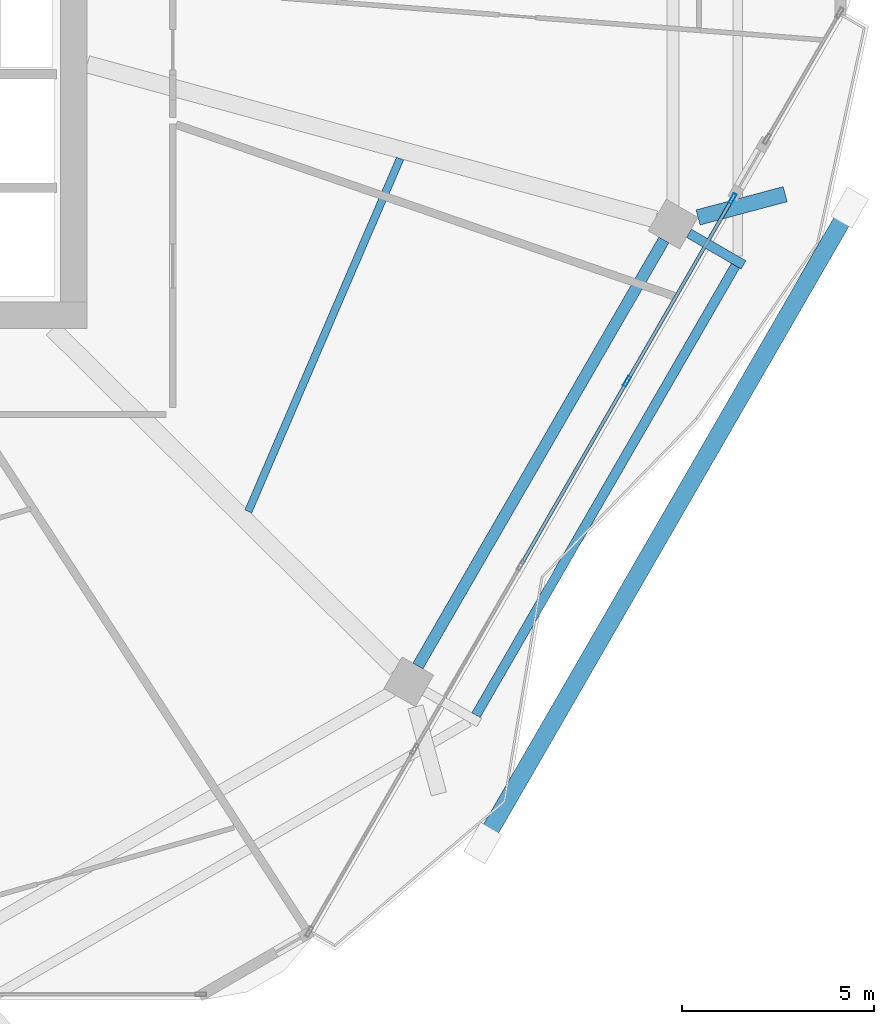
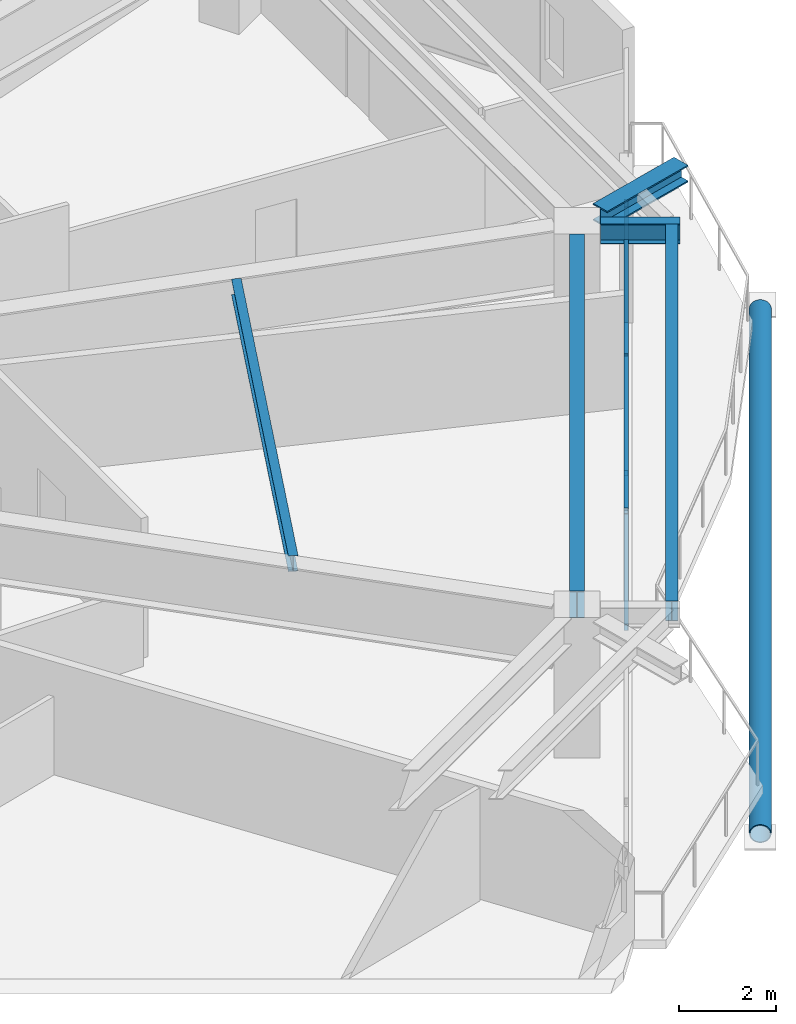
# One storey, part 10 of 28: 7 members, 5 beams, 1 element without a shape of its own.
"""IFC4 building model written with IfcOpenShell, lengths in metres."""

from ifc_helpers import new_model, si_unit, direction, frame, origin, origin_2d, place, context, subcontext, project, spatial, hollow_rectangle, hollow_circle, i_section, extrude, material, material_profile, profile_set, type_object, element, aggregate, save


model = new_model("IFC4")

# Units and contexts
model_context = context("Model", 3, precision=1e-05, world=origin(), true_north=direction((0.0, 1.0)))
body_context = subcontext(model_context, "Body", "Model", "MODEL_VIEW")
ifc_project = project(units=[si_unit("LENGTHUNIT", "METRE"), si_unit("AREAUNIT", "SQUARE_METRE"), si_unit("VOLUMEUNIT", "CUBIC_METRE"), si_unit("PLANEANGLEUNIT", "RADIAN"), si_unit("MASSUNIT", "GRAM", prefix="KILO")], contexts=[model_context])

# Site, building, storey
site_placement = place(None, origin())
site = spatial("IfcSite", under=ifc_project, at=site_placement, CompositionType="ELEMENT")
building_placement = place(site_placement, origin())
building = spatial("IfcBuilding", under=site, at=building_placement, Name="Zuhravey Tower", CompositionType="ELEMENT")
storey_placement = place(building_placement, frame((0.0, 0.0, 222.60009765625)))
storey = spatial("IfcBuildingStorey", under=building, at=storey_placement, Name="L56", CompositionType="ELEMENT", Elevation=222.60009765625)

# Curtain wall, members
ifc_material_1 = material(Name="Thermally broken anodised aluminium", Category="aluminium")
curtain_wall_type = type_object("IfcCurtainWallType", Name="Zone 1-2 Residential Curtain Wall CW3", PredefinedType="NOTDEFINED", material=ifc_material_1)
curtain_wall_placement = place(storey_placement, origin())
curtain_wall = element("IfcCurtainWall", 1, at=curtain_wall_placement, inside=storey, type_object=curtain_wall_type, Name="L56 CW3 CW-L56-F6-2", PredefinedType="NOTDEFINED")
ifc_material_2 = material(Name="Anodised aluminium", Category="aluminium")
ifc_material_profile_1 = material_profile(ifc_material_2, hollow_rectangle(XDim=0.090087890625, YDim=0.284912109375, WallThickness=0.0048828125, at=origin_2d()), Name="ALU-RHS-90x285x5")
ifc_profile_set_1 = profile_set([ifc_material_profile_1], Name="Anodised aluminium")
member_type_1 = type_object("IfcMemberType", Name="Curtain-Wall Mullion 90x180", PredefinedType="MULLION", material=ifc_profile_set_1)
member_1_placement = place(storey_placement, frame((63.6572265625, 25.53759765625, 0.0), z_axis=(0.0, 0.0, 1.0), x_axis=(0.866025738172, -0.499999420824, 0.0)))
member_1 = element("IfcMember", 2, at=member_1_placement, type_object=member_type_1, Name="CW3 mullion 1", PredefinedType="MULLION", context=body_context, shape_type="SweptSolid", body=[
    extrude(hollow_rectangle(XDim=0.090087890625, YDim=0.284912109375, WallThickness=0.0048828125, at=origin_2d()), origin(), (0.0, 0.0, 1.0), 3.02001953125),
])
member_2_placement = place(storey_placement, frame((60.912353515625, 20.783447265625, 0.0), z_axis=(0.0, 0.0, 1.0), x_axis=(0.866025738172, -0.499999420824, 0.0)))
member_2 = element("IfcMember", 3, at=member_2_placement, type_object=member_type_1, Name="CW3 mullion 2", PredefinedType="MULLION", context=body_context, shape_type="SweptSolid", body=[
    extrude(hollow_rectangle(XDim=0.090087890625, YDim=0.284912109375, WallThickness=0.0048828125, at=origin_2d()), origin(), (0.0, 0.0, 1.0), 3.02001953125),
])
ifc_material_profile_2 = material_profile(ifc_material_2, hollow_rectangle(XDim=0.090087890625, YDim=0.14990234375, WallThickness=0.0048828125, at=origin_2d()), Name="ALU-RHS-90x150x5")
ifc_profile_set_2 = profile_set([ifc_material_profile_2], Name="Anodised aluminium")
member_type_2 = type_object("IfcMemberType", Name="Curtain-Wall Transom 90x150", PredefinedType="USERDEFINED", material=ifc_profile_set_2)
member_3_placement = place(storey_placement, frame((63.634765625, 25.49853515625, 0.044921875), z_axis=(-0.500000349099, -0.866025202232, 0.0), x_axis=(0.866025202232, -0.500000349099, 0.0)))
member_3 = element("IfcMember", 4, at=member_3_placement, type_object=member_type_2, Name="CW3 transom 1.1", ObjectType="TRANSOM", PredefinedType="USERDEFINED", context=body_context, shape_type="SweptSolid", body=[
    extrude(hollow_rectangle(XDim=0.090087890625, YDim=0.14990234375, WallThickness=0.0048828125, at=origin_2d()), origin(), (0.0, 0.0, 1.0), 5.3994140625),
])
member_4_placement = place(storey_placement, frame((63.634765625, 25.49853515625, 2.974853515625), z_axis=(-0.500000349099, -0.866025202232, 0.0), x_axis=(0.866025202232, -0.500000349099, 0.0)))
member_4 = element("IfcMember", 5, at=member_4_placement, type_object=member_type_2, Name="CW3 transom 1.2", ObjectType="TRANSOM", PredefinedType="USERDEFINED", context=body_context, shape_type="SweptSolid", body=[
    extrude(hollow_rectangle(XDim=0.090087890625, YDim=0.14990234375, WallThickness=0.0048828125, at=origin_2d()), origin(), (0.0, 0.0, 1.0), 5.3994140625),
])
member_5_placement = place(storey_placement, frame((60.889892578125, 20.744384765625, 0.044921875), z_axis=(-0.500007116724, -0.866021294903, 0.0), x_axis=(0.866021294903, -0.500007116724, 0.0)))
member_5 = element("IfcMember", 6, at=member_5_placement, type_object=member_type_2, Name="CW3 transom 2.1", ObjectType="TRANSOM", PredefinedType="USERDEFINED", context=body_context, shape_type="SweptSolid", body=[
    extrude(hollow_rectangle(XDim=0.090087890625, YDim=0.14990234375, WallThickness=0.0048828125, at=origin_2d()), origin(), (0.0, 0.0, 1.0), 5.4443359375),
])
member_6_placement = place(storey_placement, frame((60.889892578125, 20.744384765625, 2.974853515625), z_axis=(-0.500007116724, -0.866021294903, 0.0), x_axis=(0.866021294903, -0.500007116724, 0.0)))
member_6 = element("IfcMember", 7, at=member_6_placement, type_object=member_type_2, Name="CW3 transom 2.2", ObjectType="TRANSOM", PredefinedType="USERDEFINED", context=body_context, shape_type="SweptSolid", body=[
    extrude(hollow_rectangle(XDim=0.090087890625, YDim=0.14990234375, WallThickness=0.0048828125, at=origin_2d()), origin(), (0.0, 0.0, 1.0), 5.4443359375),
])
aggregate(curtain_wall, [member_1, member_2, member_3, member_4, member_5, member_6])

# Beam
ifc_material_3 = material(Name="Steel SM460", Category="steel")
ifc_material_profile_3 = material_profile(ifc_material_3, i_section(OverallWidth=0.406982421875, OverallDepth=0.427978515625, WebThickness=0.02001953125, FlangeThickness=0.034912109375, at=origin_2d()), Name="H-428x407x20x35")
ifc_profile_set_3 = profile_set([ifc_material_profile_3], Name="Steel SM460")
beam_type_1 = type_object("IfcBeamType", Name="Exoskeleton Node Tie Beam H428x407", PredefinedType="BEAM", material=ifc_profile_set_3)
beam_1_placement = place(storey_placement, frame((62.760009765625, 25.047607421875, 3.305908203125), z_axis=(0.966134785463, 0.258037935814, 0.0), x_axis=(-0.258037935814, 0.966134785463, 0.0)))
element("IfcBeam", 8, at=beam_1_placement, inside=storey, type_object=beam_type_1, Name="L56 Exoskeleton Node Tie NT1-12", PredefinedType="BEAM", context=body_context, shape_type="SweptSolid", body=[
    extrude(i_section(OverallWidth=0.406982421875, OverallDepth=0.427978515625, WebThickness=0.02001953125, FlangeThickness=0.034912109375, at=origin_2d()), origin(), (0.0, 0.0, 1.0), 2.348388671875),
])

# Member
ifc_material_4 = material(Name="Steel SM355", Category="steel")
ifc_material_profile_4 = material_profile(ifc_material_4, hollow_circle(Radius=0.228515625, WallThickness=0.02197265625, at=origin_2d()), Name="CHS-457.2x22")
ifc_profile_set_4 = profile_set([ifc_material_profile_4], Name="Steel SM355")
member_type_3 = type_object("IfcMemberType", Name="Exoskeleton Ring Tie CHS457x22", PredefinedType="CHORD", material=ifc_profile_set_4)
member_7_placement = place(storey_placement, frame((57.22412109375, 8.874755859375, -0.464111328125), z_axis=(0.499989194203, 0.866031642424, 0.0), x_axis=(-0.866031642424, 0.499989194203, 0.0)))
element("IfcMember", 9, at=member_7_placement, inside=storey, type_object=member_type_3, Name="L56 Exoskeleton Face 6 Tie EXR1", PredefinedType="CHORD", context=body_context, shape_type="SweptSolid", body=[
    extrude(hollow_circle(Radius=0.228515625, WallThickness=0.02197265625, at=origin_2d()), origin(), (0.0, 0.0, 1.0), 18.830078125),
])

# Beams
ifc_material_profile_5 = material_profile(ifc_material_4, i_section(OverallWidth=0.300048828125, OverallDepth=0.679931640625, WebThickness=0.012939453125, FlangeThickness=0.02197265625, at=origin_2d()), Name="H-680x300x13x22")
ifc_profile_set_5 = profile_set([ifc_material_profile_5], Name="Steel SM355")
beam_type_2 = type_object("IfcBeamType", Name="Perimeter Ring Beam H680x300", PredefinedType="BEAM", material=ifc_profile_set_5)
beam_2_placement = place(storey_placement, frame((55.464599609375, 13.367431640625, 3.179931640625), z_axis=(0.500003505699, 0.866023379758, 0.0), x_axis=(-0.866023379758, 0.500003505699, 0.0)))
element("IfcBeam", 10, at=beam_2_placement, inside=storey, type_object=beam_type_2, Name="L56 PB2 BM-L56-PB-11", PredefinedType="BEAM", context=body_context, shape_type="SweptSolid", body=[
    extrude(i_section(OverallWidth=0.300048828125, OverallDepth=0.679931640625, WebThickness=0.012939453125, FlangeThickness=0.02197265625, at=origin_2d()), origin(), (0.0, 0.0, 1.0), 12.80810546875),
])
ifc_material_profile_6 = material_profile(ifc_material_4, i_section(OverallWidth=0.199951171875, OverallDepth=0.39990234375, WebThickness=0.008056640625, FlangeThickness=0.012939453125, at=origin_2d()), Name="H-400x200x8x13")
ifc_profile_set_6 = profile_set([ifc_material_profile_6], Name="Steel SM355")
beam_type_3 = type_object("IfcBeamType", Name="Secondary Floor Joist H400x200", PredefinedType="JOIST", material=ifc_profile_set_6)
beam_3_placement = place(storey_placement, frame((51.047119140625, 17.392822265625, 3.31982421875), z_axis=(0.395280133631, 0.918560621819, 0.0), x_axis=(-0.918560621819, 0.395280133631, 0.0)))
element("IfcBeam", 11, at=beam_3_placement, inside=storey, type_object=beam_type_3, Name="L56 SJ2 BM-L56-SJ-11-1", PredefinedType="JOIST", context=body_context, shape_type="SweptSolid", body=[
    extrude(i_section(OverallWidth=0.199951171875, OverallDepth=0.39990234375, WebThickness=0.008056640625, FlangeThickness=0.012939453125, at=origin_2d()), origin(), (0.0, 0.0, 1.0), 10.000244140625),
])
ifc_material_profile_7 = material_profile(ifc_material_4, i_section(OverallWidth=0.25, OverallDepth=0.5, WebThickness=0.010009765625, FlangeThickness=0.01611328125, at=origin_2d()), Name="H-500x250x10x16")
ifc_profile_set_7 = profile_set([ifc_material_profile_7], Name="Steel SM355")
beam_type_4 = type_object("IfcBeamType", Name="Tray Cantilever Spandrel H500x250", PredefinedType="SPANDREL", material=ifc_profile_set_7)
beam_4_placement = place(storey_placement, frame((62.5224609375, 24.634033203125, 3.27001953125), z_axis=(0.866009679343, -0.500027234542, 0.0), x_axis=(0.500027234542, 0.866009679343, 0.0)))
element("IfcBeam", 12, at=beam_4_placement, inside=storey, type_object=beam_type_4, Name="L56 Sky-Tray Cantilever Arm TSB1-R12", PredefinedType="SPANDREL", context=body_context, shape_type="SweptSolid", body=[
    extrude(i_section(OverallWidth=0.25, OverallDepth=0.5, WebThickness=0.010009765625, FlangeThickness=0.01611328125, at=origin_2d()), origin(), (0.0, 0.0, 1.0), 1.64111328125),
])
beam_5_placement = place(storey_placement, frame((56.9755859375, 12.0849609375, 3.27001953125), z_axis=(0.500012189059, 0.866018366314, 0.0), x_axis=(-0.866018366314, 0.500012189059, 0.0)))
element("IfcBeam", 13, at=beam_5_placement, inside=storey, type_object=beam_type_4, Name="L56 Sky-Tray Edge Spandrel TSB1-11", PredefinedType="SPANDREL", context=body_context, shape_type="SweptSolid", body=[
    extrude(i_section(OverallWidth=0.25, OverallDepth=0.5, WebThickness=0.010009765625, FlangeThickness=0.01611328125, at=origin_2d()), origin(), (0.0, 0.0, 1.0), 13.518310546875),
])

save(model, "model.ifc")
